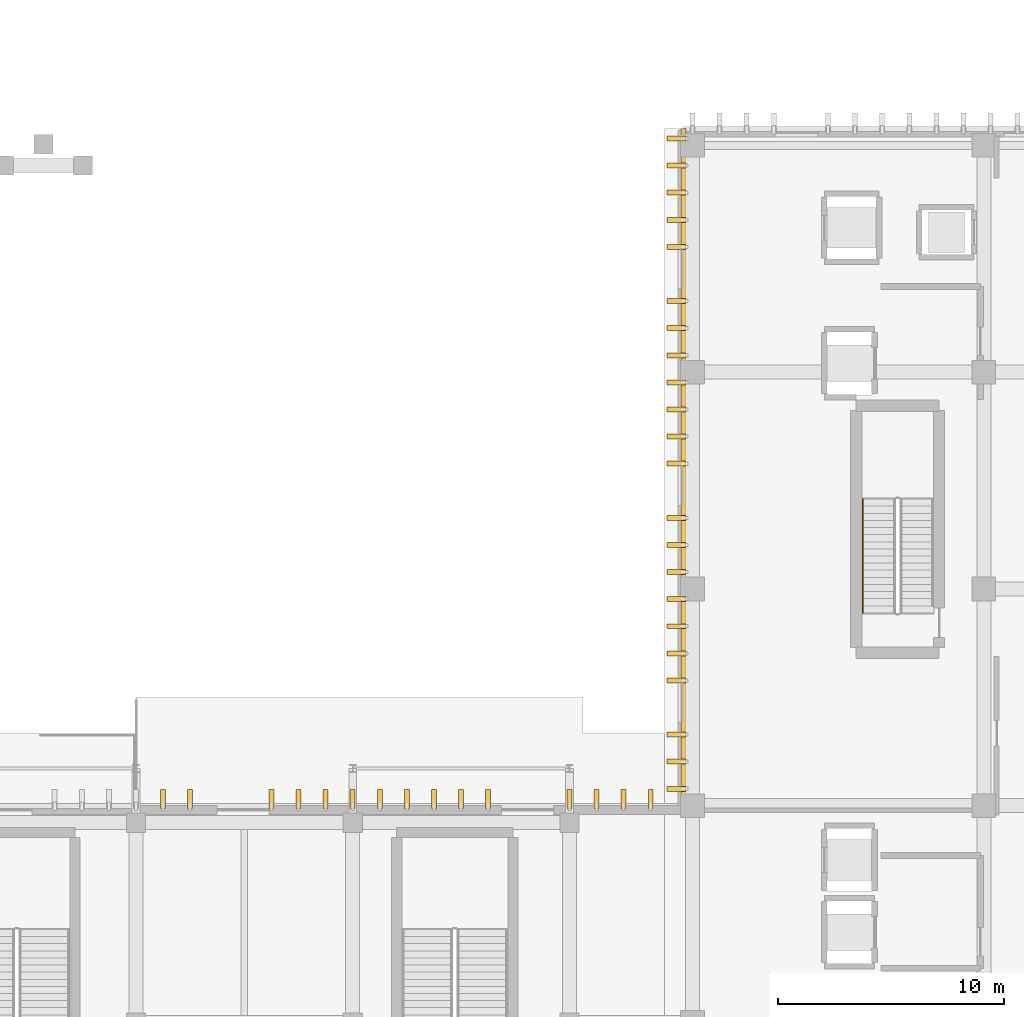
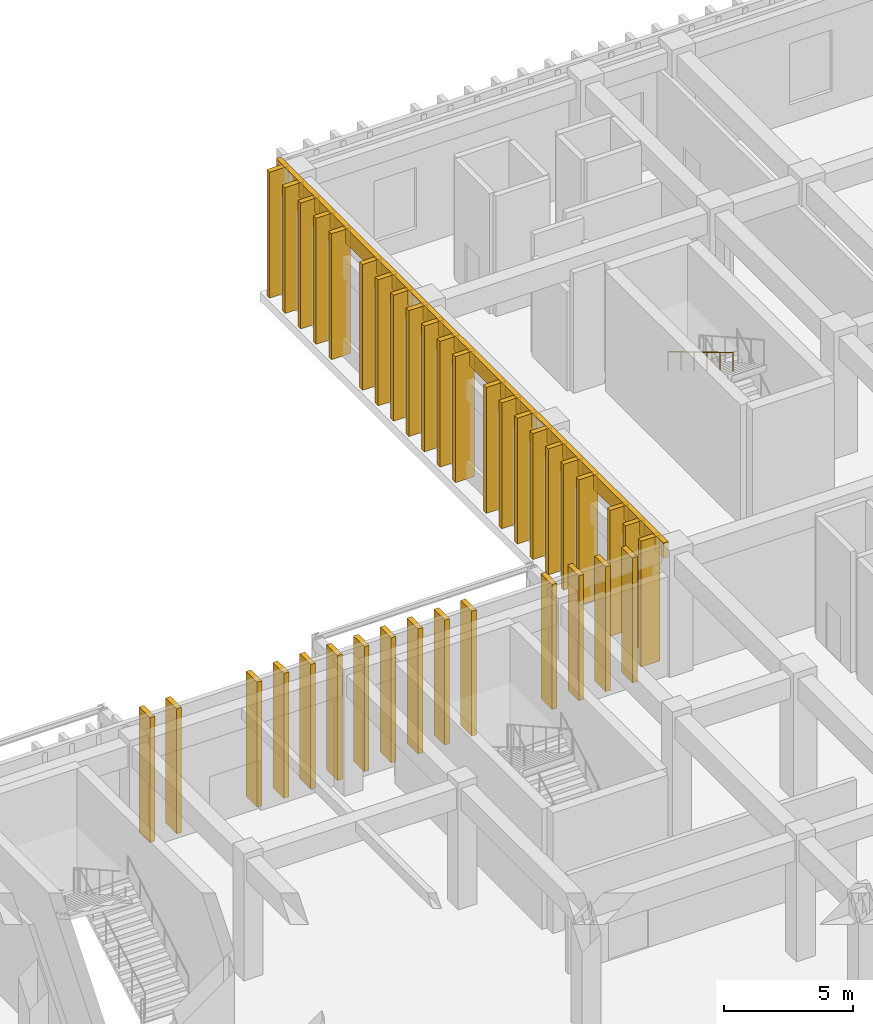
# One storey, part 82 of 87: 38 coverings, 37 shading devices, 1 railing.
"""IFC4 building model written with IfcOpenShell, lengths in metres."""

from ifc_helpers import new_model, si_unit, direction, frame, origin, origin_2d, place, context, subcontext, project, spatial, rectangle, circle, extrude, material, layer, layer_set, type_object, element, save


model = new_model("IFC4")

# Units and contexts
model_context = context("Model", 3, precision=1e-05, world=origin(), true_north=direction((0.0, 1.0)))
body_context = subcontext(model_context, "Body", "Model", "MODEL_VIEW")
ifc_project = project(units=[si_unit("LENGTHUNIT", "METRE"), si_unit("AREAUNIT", "SQUARE_METRE"), si_unit("VOLUMEUNIT", "CUBIC_METRE"), si_unit("PLANEANGLEUNIT", "RADIAN"), si_unit("MASSUNIT", "GRAM", prefix="KILO")], contexts=[model_context])

# Site, building, storey
site_placement = place(None, origin())
site = spatial("IfcSite", under=ifc_project, at=site_placement, CompositionType="ELEMENT")
building_placement = place(site_placement, origin())
building = spatial("IfcBuilding", under=site, at=building_placement, Name="Nakhvara Creek Congress Hotel", CompositionType="ELEMENT")
storey_placement = place(building_placement, origin())
storey = spatial("IfcBuildingStorey", under=building, at=storey_placement, Name="L00", CompositionType="ELEMENT", Elevation=0.0)

# Coverings
ifc_material_1 = material(Name="Honed pale Omani limestone architectural cladding", Category="masonry")
ifc_layer_1 = layer(ifc_material_1, 0.219970703125)
ifc_layer_set_1 = layer_set([ifc_layer_1], Name="Honed pale Omani limestone architectural cladding")
covering_type_1 = type_object("IfcCoveringType", Name="COV-FIN-850", PredefinedType="CLADDING", material=ifc_layer_set_1)
for number, where, z_axis, x_axis, name in (
    (1, (126.0, 96.304931640625, 0.0), (0.0, 0.0, 1.0), (1.0, 0.0, 0.0), "Pale Limestone Fin Cladding CF01-0133"),
    (2, (127.199951171875, 96.304931640625, 0.0), (0.0, 0.0, 1.0), (1.0, 0.0, 0.0), "Pale Limestone Fin Cladding CF01-0134"),
    (3, (130.800048828125, 96.304931640625, 0.0), (0.0, 0.0, 1.0), (1.0, 0.0, 0.0), "Pale Limestone Fin Cladding CF01-0135"),
    (4, (132.0, 96.304931640625, 0.0), (0.0, 0.0, 1.0), (1.0, 0.0, 0.0), "Pale Limestone Fin Cladding CF01-0136"),
    (5, (133.199951171875, 96.304931640625, 0.0), (0.0, 0.0, 1.0), (1.0, 0.0, 0.0), "Pale Limestone Fin Cladding CF01-0137"),
    (6, (134.39990234375, 96.304931640625, 0.0), (0.0, 0.0, 1.0), (1.0, 0.0, 0.0), "Pale Limestone Fin Cladding CF01-0138"),
    (7, (135.60009765625, 96.304931640625, 0.0), (0.0, 0.0, 1.0), (1.0, 0.0, 0.0), "Pale Limestone Fin Cladding CF01-0139"),
    (8, (136.800048828125, 96.304931640625, 0.0), (0.0, 0.0, 1.0), (1.0, 0.0, 0.0), "Pale Limestone Fin Cladding CF01-0140"),
    (9, (138.0, 96.304931640625, 0.0), (0.0, 0.0, 1.0), (1.0, 0.0, 0.0), "Pale Limestone Fin Cladding CF01-0141"),
    (10, (139.199951171875, 96.304931640625, 0.0), (0.0, 0.0, 1.0), (1.0, 0.0, 0.0), "Pale Limestone Fin Cladding CF01-0142"),
    (11, (140.39990234375, 96.304931640625, 0.0), (0.0, 0.0, 1.0), (1.0, 0.0, 0.0), "Pale Limestone Fin Cladding CF01-0143"),
    (12, (144.0, 96.304931640625, 0.0), (0.0, 0.0, 1.0), (1.0, 0.0, 0.0), "Pale Limestone Fin Cladding CF01-0144"),
    (13, (145.199951171875, 96.304931640625, 0.0), (0.0, 0.0, 1.0), (1.0, 0.0, 0.0), "Pale Limestone Fin Cladding CF01-0145"),
    (14, (146.39990234375, 96.304931640625, 0.0), (0.0, 0.0, 1.0), (1.0, 0.0, 0.0), "Pale Limestone Fin Cladding CF01-0146"),
    (15, (147.60009765625, 96.304931640625, 0.0), (0.0, 0.0, 1.0), (1.0, 0.0, 0.0), "Pale Limestone Fin Cladding CF01-0147"),
):
    element("IfcCovering", number, at=place(storey_placement, frame(where, z_axis=z_axis, x_axis=x_axis)), inside=storey, type_object=covering_type_1, Name=name, PredefinedType="CLADDING", context=body_context, shape_type="SweptSolid", body=[
        extrude(rectangle(XDim=0.219970703125, YDim=0.85009765625, at=origin_2d()), origin(), (0.0, 0.0, 1.0), 5.919921875),
    ])
for number, where, z_axis, x_axis, name in (
    (16, (148.7451171875, 96.75, 0.0), (0.0, 0.0, 1.0), (0.0, 1.0, 0.0), "Pale Limestone Fin Cladding CF01-0594"),
    (17, (148.7451171875, 97.949951171875, 0.0), (0.0, 0.0, 1.0), (0.0, 1.0, 0.0), "Pale Limestone Fin Cladding CF01-0596"),
    (18, (148.7451171875, 99.14990234375, 0.0), (0.0, 0.0, 1.0), (0.0, 1.0, 0.0), "Pale Limestone Fin Cladding CF01-0598"),
    (19, (148.7451171875, 101.550048828125, 0.0), (0.0, 0.0, 1.0), (0.0, 1.0, 0.0), "Pale Limestone Fin Cladding CF01-0599"),
    (20, (148.7451171875, 102.75, 0.0), (0.0, 0.0, 1.0), (0.0, 1.0, 0.0), "Pale Limestone Fin Cladding CF01-0601"),
    (21, (148.7451171875, 103.949951171875, 0.0), (0.0, 0.0, 1.0), (0.0, 1.0, 0.0), "Pale Limestone Fin Cladding CF01-0603"),
    (22, (148.7451171875, 105.14990234375, 0.0), (0.0, 0.0, 1.0), (0.0, 1.0, 0.0), "Pale Limestone Fin Cladding CF01-0605"),
    (23, (148.7451171875, 106.35009765625, 0.0), (0.0, 0.0, 1.0), (0.0, 1.0, 0.0), "Pale Limestone Fin Cladding CF01-0607"),
    (24, (148.7451171875, 107.550048828125, 0.0), (0.0, 0.0, 1.0), (0.0, 1.0, 0.0), "Pale Limestone Fin Cladding CF01-0609"),
    (25, (148.7451171875, 108.75, 0.0), (0.0, 0.0, 1.0), (0.0, 1.0, 0.0), "Pale Limestone Fin Cladding CF01-0611"),
    (26, (148.7451171875, 111.14990234375, 0.0), (0.0, 0.0, 1.0), (0.0, 1.0, 0.0), "Pale Limestone Fin Cladding CF01-0612"),
    (27, (148.7451171875, 112.35009765625, 0.0), (0.0, 0.0, 1.0), (0.0, 1.0, 0.0), "Pale Limestone Fin Cladding CF01-0614"),
    (28, (148.7451171875, 113.550048828125, 0.0), (0.0, 0.0, 1.0), (0.0, 1.0, 0.0), "Pale Limestone Fin Cladding CF01-0616"),
    (29, (148.7451171875, 114.75, 0.0), (0.0, 0.0, 1.0), (0.0, 1.0, 0.0), "Pale Limestone Fin Cladding CF01-0618"),
    (30, (148.7451171875, 115.949951171875, 0.0), (0.0, 0.0, 1.0), (0.0, 1.0, 0.0), "Pale Limestone Fin Cladding CF01-0620"),
    (31, (148.7451171875, 117.14990234375, 0.0), (0.0, 0.0, 1.0), (0.0, 1.0, 0.0), "Pale Limestone Fin Cladding CF01-0622"),
    (32, (148.7451171875, 118.35009765625, 0.0), (0.0, 0.0, 1.0), (0.0, 1.0, 0.0), "Pale Limestone Fin Cladding CF01-0624"),
    (33, (148.7451171875, 120.75, 0.0), (0.0, 0.0, 1.0), (0.0, 1.0, 0.0), "Pale Limestone Fin Cladding CF01-0625"),
    (34, (148.7451171875, 121.949951171875, 0.0), (0.0, 0.0, 1.0), (0.0, 1.0, 0.0), "Pale Limestone Fin Cladding CF01-0627"),
    (35, (148.7451171875, 123.14990234375, 0.0), (0.0, 0.0, 1.0), (0.0, 1.0, 0.0), "Pale Limestone Fin Cladding CF01-0629"),
    (36, (148.7451171875, 124.35009765625, 0.0), (0.0, 0.0, 1.0), (0.0, 1.0, 0.0), "Pale Limestone Fin Cladding CF01-0631"),
    (37, (148.7451171875, 125.550048828125, 0.0), (0.0, 0.0, 1.0), (0.0, 1.0, 0.0), "Pale Limestone Fin Cladding CF01-0633"),
):
    element("IfcCovering", number, at=place(storey_placement, frame(where, z_axis=z_axis, x_axis=x_axis)), inside=storey, type_object=covering_type_1, Name=name, PredefinedType="CLADDING", context=body_context, shape_type="SweptSolid", body=[
        extrude(rectangle(XDim=0.219970703125, YDim=0.85009765625, at=origin_2d()), origin(), (0.0, 0.0, 1.0), 5.9599609375),
    ])
ifc_layer_2 = layer(ifc_material_1, 0.179931640625)
ifc_layer_set_2 = layer_set([ifc_layer_2], Name="Honed pale Omani limestone architectural cladding")
covering_type_2 = type_object("IfcCoveringType", Name="COV-SPN-180", PredefinedType="CLADDING", material=ifc_layer_set_2)
covering_placement = place(storey_placement, frame((149.06005859375, 111.0, 5.31005859375), z_axis=(0.0, 0.0, 1.0), x_axis=(0.0, 1.0, 0.0)))
element("IfcCovering", 38, at=covering_placement, inside=storey, type_object=covering_type_2, Name="Pale Limestone Spandrel Band CF02-0042", PredefinedType="CLADDING", context=body_context, shape_type="SweptSolid", body=[
    extrude(rectangle(XDim=30.0, YDim=0.219970703125, at=origin_2d()), origin(), (0.0, 0.0, 1.0), 0.72998046875),
])

# Railing
ifc_material_2 = material(Name="Brushed stainless steel 316L", Category="steel")
railing_type = type_object("IfcRailingType", Name="RL-HAND-900", PredefinedType="HANDRAIL", material=ifc_material_2)
railing_placement = place(storey_placement, frame((156.9951171875, 109.580078125, 3.176513671875)))
element("IfcRailing", 39, at=railing_placement, inside=storey, type_object=railing_type, Name="L00 ST02 stair handrail 2", PredefinedType="HANDRAIL", context=body_context, shape_type="SweptSolid", body=[
    extrude(circle(Radius=0.02392578125, at=origin_2d()), frame((0.0, -0.0126953125, 0.88330078125), z_axis=(0.0, -0.858471053773, 0.512862018319), x_axis=(1.0, 0.0, 0.0)), (0.0, 0.0, 1.0), 5.841552734375),
    extrude(circle(Radius=0.02099609375, at=origin_2d()), origin(), (0.0, 0.0, 1.0), 0.880615234375),
    extrude(circle(Radius=0.02099609375, at=origin_2d()), frame((0.0, -1.008056640625, 0.602294921875)), (0.0, 0.0, 1.0), 0.880615234375),
    extrude(circle(Radius=0.02099609375, at=origin_2d()), frame((0.0, -2.01611328125, 1.204345703125)), (0.0, 0.0, 1.0), 0.880615234375),
    extrude(circle(Radius=0.02099609375, at=origin_2d()), frame((0.0, -3.02392578125, 1.806640625)), (0.0, 0.0, 1.0), 0.880615234375),
    extrude(circle(Radius=0.02099609375, at=origin_2d()), frame((0.0, -4.031982421875, 2.40869140625)), (0.0, 0.0, 1.0), 0.880615234375),
    extrude(circle(Radius=0.02099609375, at=origin_2d()), frame((0.0, -5.0400390625, 3.010986328125)), (0.0, 0.0, 1.0), 0.880615234375),
])

# Shading devices
ifc_material_3 = material(Name="Honed pale Omani limestone cladding on stainless steel spine", Category="masonry")
shading_device_type = type_object("IfcShadingDeviceType", Name="SHD-FIN-850X5800", PredefinedType="USERDEFINED", material=ifc_material_3)
for number, where, z_axis, x_axis, name in (
    (40, (126.0, 96.304931640625, 0.0), (0.0, 0.0, 1.0), (1.0, 0.0, 0.0), "Limestone Solar Fin FN03-0133"),
    (41, (127.199951171875, 96.304931640625, 0.0), (0.0, 0.0, 1.0), (1.0, 0.0, 0.0), "Limestone Solar Fin FN03-0134"),
    (42, (130.800048828125, 96.304931640625, 0.0), (0.0, 0.0, 1.0), (1.0, 0.0, 0.0), "Limestone Solar Fin FN03-0135"),
    (43, (132.0, 96.304931640625, 0.0), (0.0, 0.0, 1.0), (1.0, 0.0, 0.0), "Limestone Solar Fin FN03-0136"),
    (44, (133.199951171875, 96.304931640625, 0.0), (0.0, 0.0, 1.0), (1.0, 0.0, 0.0), "Limestone Solar Fin FN03-0137"),
    (45, (134.39990234375, 96.304931640625, 0.0), (0.0, 0.0, 1.0), (1.0, 0.0, 0.0), "Limestone Solar Fin FN03-0138"),
    (46, (135.60009765625, 96.304931640625, 0.0), (0.0, 0.0, 1.0), (1.0, 0.0, 0.0), "Limestone Solar Fin FN03-0139"),
    (47, (136.800048828125, 96.304931640625, 0.0), (0.0, 0.0, 1.0), (1.0, 0.0, 0.0), "Limestone Solar Fin FN03-0140"),
    (48, (138.0, 96.304931640625, 0.0), (0.0, 0.0, 1.0), (1.0, 0.0, 0.0), "Limestone Solar Fin FN03-0141"),
    (49, (139.199951171875, 96.304931640625, 0.0), (0.0, 0.0, 1.0), (1.0, 0.0, 0.0), "Limestone Solar Fin FN03-0142"),
    (50, (140.39990234375, 96.304931640625, 0.0), (0.0, 0.0, 1.0), (1.0, 0.0, 0.0), "Limestone Solar Fin FN03-0143"),
    (51, (144.0, 96.304931640625, 0.0), (0.0, 0.0, 1.0), (1.0, 0.0, 0.0), "Limestone Solar Fin FN03-0144"),
    (52, (145.199951171875, 96.304931640625, 0.0), (0.0, 0.0, 1.0), (1.0, 0.0, 0.0), "Limestone Solar Fin FN03-0145"),
    (53, (146.39990234375, 96.304931640625, 0.0), (0.0, 0.0, 1.0), (1.0, 0.0, 0.0), "Limestone Solar Fin FN03-0146"),
    (54, (147.60009765625, 96.304931640625, 0.0), (0.0, 0.0, 1.0), (1.0, 0.0, 0.0), "Limestone Solar Fin FN03-0147"),
):
    element("IfcShadingDevice", number, at=place(storey_placement, frame(where, z_axis=z_axis, x_axis=x_axis)), inside=storey, type_object=shading_device_type, Name=name, ObjectType="FIN", PredefinedType="USERDEFINED", context=body_context, shape_type="SweptSolid", body=[
        extrude(rectangle(XDim=0.219970703125, YDim=0.85009765625, at=origin_2d()), origin(), (0.0, 0.0, 1.0), 5.919921875),
    ])
for number, where, z_axis, x_axis, name in (
    (55, (148.7451171875, 96.75, 0.0), (0.0, 0.0, 1.0), (0.0, 1.0, 0.0), "Limestone Solar Fin FN03-0459"),
    (56, (148.7451171875, 97.949951171875, 0.0), (0.0, 0.0, 1.0), (0.0, 1.0, 0.0), "Limestone Solar Fin FN03-0461"),
    (57, (148.7451171875, 99.14990234375, 0.0), (0.0, 0.0, 1.0), (0.0, 1.0, 0.0), "Limestone Solar Fin FN03-0463"),
    (58, (148.7451171875, 101.550048828125, 0.0), (0.0, 0.0, 1.0), (0.0, 1.0, 0.0), "Limestone Solar Fin FN03-0464"),
    (59, (148.7451171875, 102.75, 0.0), (0.0, 0.0, 1.0), (0.0, 1.0, 0.0), "Limestone Solar Fin FN03-0466"),
    (60, (148.7451171875, 103.949951171875, 0.0), (0.0, 0.0, 1.0), (0.0, 1.0, 0.0), "Limestone Solar Fin FN03-0468"),
    (61, (148.7451171875, 105.14990234375, 0.0), (0.0, 0.0, 1.0), (0.0, 1.0, 0.0), "Limestone Solar Fin FN03-0470"),
    (62, (148.7451171875, 106.35009765625, 0.0), (0.0, 0.0, 1.0), (0.0, 1.0, 0.0), "Limestone Solar Fin FN03-0472"),
    (63, (148.7451171875, 107.550048828125, 0.0), (0.0, 0.0, 1.0), (0.0, 1.0, 0.0), "Limestone Solar Fin FN03-0474"),
    (64, (148.7451171875, 108.75, 0.0), (0.0, 0.0, 1.0), (0.0, 1.0, 0.0), "Limestone Solar Fin FN03-0476"),
    (65, (148.7451171875, 111.14990234375, 0.0), (0.0, 0.0, 1.0), (0.0, 1.0, 0.0), "Limestone Solar Fin FN03-0477"),
    (66, (148.7451171875, 112.35009765625, 0.0), (0.0, 0.0, 1.0), (0.0, 1.0, 0.0), "Limestone Solar Fin FN03-0479"),
    (67, (148.7451171875, 113.550048828125, 0.0), (0.0, 0.0, 1.0), (0.0, 1.0, 0.0), "Limestone Solar Fin FN03-0481"),
    (68, (148.7451171875, 114.75, 0.0), (0.0, 0.0, 1.0), (0.0, 1.0, 0.0), "Limestone Solar Fin FN03-0483"),
    (69, (148.7451171875, 115.949951171875, 0.0), (0.0, 0.0, 1.0), (0.0, 1.0, 0.0), "Limestone Solar Fin FN03-0485"),
    (70, (148.7451171875, 117.14990234375, 0.0), (0.0, 0.0, 1.0), (0.0, 1.0, 0.0), "Limestone Solar Fin FN03-0487"),
    (71, (148.7451171875, 118.35009765625, 0.0), (0.0, 0.0, 1.0), (0.0, 1.0, 0.0), "Limestone Solar Fin FN03-0489"),
    (72, (148.7451171875, 120.75, 0.0), (0.0, 0.0, 1.0), (0.0, 1.0, 0.0), "Limestone Solar Fin FN03-0490"),
    (73, (148.7451171875, 121.949951171875, 0.0), (0.0, 0.0, 1.0), (0.0, 1.0, 0.0), "Limestone Solar Fin FN03-0492"),
    (74, (148.7451171875, 123.14990234375, 0.0), (0.0, 0.0, 1.0), (0.0, 1.0, 0.0), "Limestone Solar Fin FN03-0494"),
    (75, (148.7451171875, 124.35009765625, 0.0), (0.0, 0.0, 1.0), (0.0, 1.0, 0.0), "Limestone Solar Fin FN03-0496"),
    (76, (148.7451171875, 125.550048828125, 0.0), (0.0, 0.0, 1.0), (0.0, 1.0, 0.0), "Limestone Solar Fin FN03-0498"),
):
    element("IfcShadingDevice", number, at=place(storey_placement, frame(where, z_axis=z_axis, x_axis=x_axis)), inside=storey, type_object=shading_device_type, Name=name, ObjectType="FIN", PredefinedType="USERDEFINED", context=body_context, shape_type="SweptSolid", body=[
        extrude(rectangle(XDim=0.219970703125, YDim=0.85009765625, at=origin_2d()), origin(), (0.0, 0.0, 1.0), 5.9599609375),
    ])

save(model, "model.ifc")
